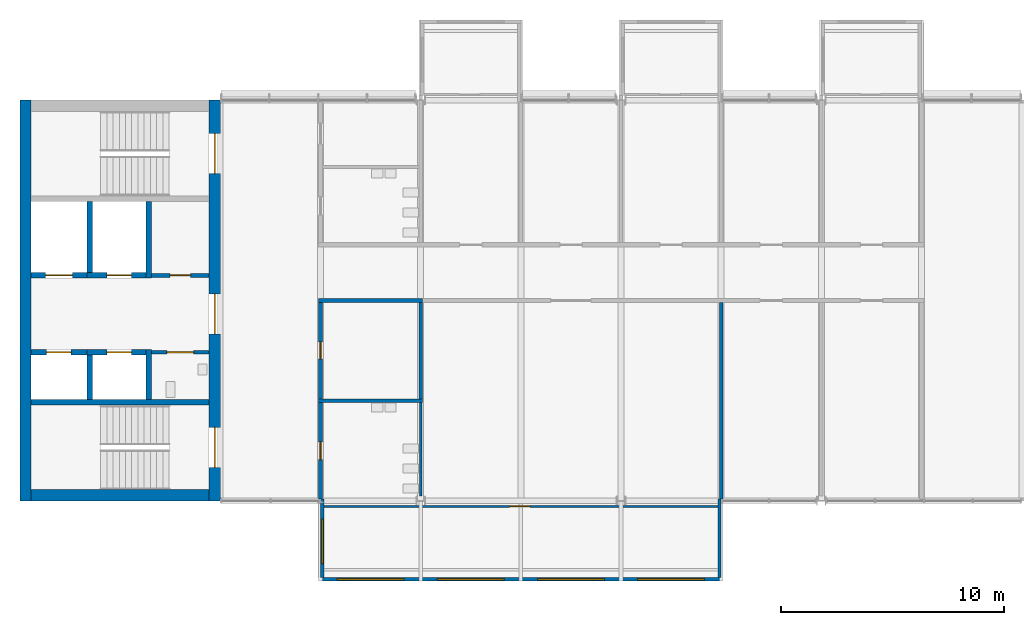
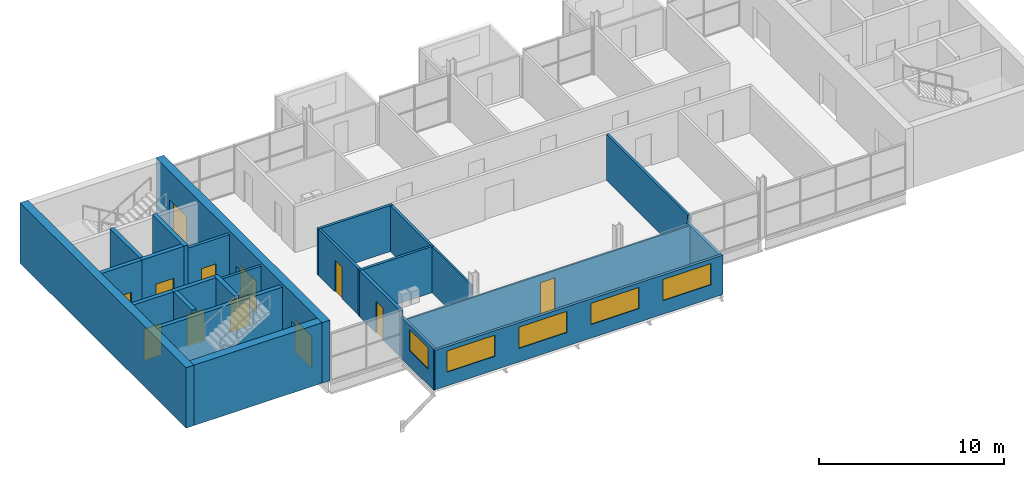
# One storey, part 6 of 12: 25 walls, 12 doors, 5 windows, 17 openings.
"""IFC4 building model written with IfcOpenShell, lengths in metres."""

from ifc_helpers import new_model, si_unit, direction, frame, frame_2d, origin, place, context, subcontext, project, spatial, rectangle, extrude, material, layer, layer_set, type_object, element, fill, save


model = new_model("IFC4")

# Units and contexts
model_context = context("Model", 3, precision=1e-05, world=origin(), true_north=direction((0.0, 1.0)))
body_context = subcontext(model_context, "Body", "Model", "MODEL_VIEW")
ifc_project = project(units=[si_unit("LENGTHUNIT", "METRE"), si_unit("AREAUNIT", "SQUARE_METRE"), si_unit("VOLUMEUNIT", "CUBIC_METRE"), si_unit("PLANEANGLEUNIT", "RADIAN"), si_unit("MASSUNIT", "GRAM", prefix="KILO")], contexts=[model_context])

# Site, building, storey
site_placement = place(None, origin())
site = spatial("IfcSite", under=ifc_project, at=site_placement, CompositionType="ELEMENT")
building_placement = place(site_placement, origin())
building = spatial("IfcBuilding", under=site, at=building_placement, Name="Corbel Yard City Hall", CompositionType="ELEMENT")
storey_placement = place(building_placement, frame((0.0, 0.0, 31.199951171875)))
storey = spatial("IfcBuildingStorey", under=building, at=storey_placement, Name="L07", CompositionType="ELEMENT", Elevation=31.199951171875)

# Walls
ifc_material_1 = material(Name="Concrete N40 (40 MPa)", Category="concrete")
ifc_layer_1 = layer(ifc_material_1, 0.25)
ifc_layer_set_1 = layer_set([ifc_layer_1], Name="Concrete N40 (40 MPa)")
wall_type_1 = type_object("IfcWallType", Name="IW2", PredefinedType="SOLIDWALL", material=ifc_layer_set_1)
wall_1_placement = place(storey_placement, frame((8.5, 103.425048828125, 0.0), z_axis=(0.0, 0.0, 1.0), x_axis=(-1.0, 0.0, 0.0)))
element("IfcWall", 1, at=wall_1_placement, inside=storey, type_object=wall_type_1, Name="Stair enclosure wall", PredefinedType="SOLIDWALL", context=body_context, shape_type="SweptSolid", body=[
    extrude(rectangle(XDim=8.0, YDim=0.25, at=frame_2d((4.0, 0.0))), origin(), (0.0, 0.0, 1.0), 3.75),
])
wall_2_placement = place(storey_placement, frame((5.77490234375, 103.550048828125, 0.0), z_axis=(0.0, 0.0, 1.0), x_axis=(0.0, 1.0, 0.0)))
element("IfcWall", 2, at=wall_2_placement, inside=storey, type_object=wall_type_1, Name="Lift LP22 shaft wall", PredefinedType="SOLIDWALL", context=body_context, shape_type="SweptSolid", body=[
    extrude(rectangle(XDim=2.25, YDim=0.25, at=frame_2d((1.125, 0.0))), origin(), (0.0, 0.0, 1.0), 4.0),
])
wall_3_placement = place(storey_placement, frame((3.125, 103.550048828125, 0.0), z_axis=(0.0, 0.0, 1.0), x_axis=(0.0, 1.0, 0.0)))
element("IfcWall", 3, at=wall_3_placement, inside=storey, type_object=wall_type_1, Name="Lift LP22 shaft wall", PredefinedType="SOLIDWALL", context=body_context, shape_type="SweptSolid", body=[
    extrude(rectangle(XDim=2.0, YDim=0.25, at=frame_2d((1.0, 0.0))), origin(), (0.0, 0.0, 1.0), 4.0),
])

# Wall, opening, door
wall_4_placement = place(storey_placement, frame((5.64990234375, 105.675048828125, 0.0), z_axis=(0.0, 0.0, 1.0), x_axis=(-1.0, 0.0, 0.0)))
wall_4 = element("IfcWall", 4, at=wall_4_placement, inside=storey, type_object=wall_type_1, Name="Lift LP22 shaft wall", PredefinedType="SOLIDWALL", context=body_context, shape_type="SweptSolid", body=[
    extrude(rectangle(XDim=2.64990234375, YDim=0.25, at=frame_2d((1.324951171875, 0.0))), origin(), (0.0, 0.0, 1.0), 4.0),
])
opening_1_placement = place(wall_4_placement, frame((0.64990234375, 0.0, 0.0)))
opening_1 = element("IfcOpeningElement", 5, at=opening_1_placement, cuts=wall_4, Name="Opening T2-005", PredefinedType="OPENING", context=body_context, shape_type="SweptSolid", body=[
    extrude(rectangle(XDim=1.10009765625, YDim=2.10009765625, at=frame_2d((0.550048828125, 1.050048828125))), frame((0.0, 0.135009765625, 0.0), z_axis=(0.0, -1.0, 0.0), x_axis=(1.0, 0.0, 0.0)), (0.0, 0.0, 1.0), 0.27001953125),
])
ifc_material_2 = material(Name="Stainless steel Grade 316", Category="steel")
door_type_1 = type_object("IfcDoorType", Name="LD1", OperationType="DOUBLE_DOOR_SLIDING", PredefinedType="DOOR", material=ifc_material_2)
door_1_placement = place(opening_1_placement, origin())
door_1 = element("IfcDoor", 6, at=door_1_placement, inside=storey, type_object=door_type_1, Name="Lift LP22 landing door", OperationType="DOUBLE_DOOR_SLIDING", OverallHeight=2.10009765625, OverallWidth=1.10009765625, PredefinedType="DOOR", context=body_context, shape_type="SweptSolid", body=[
    extrude(rectangle(XDim=1.10009765625, YDim=2.10009765625, at=frame_2d((0.550048828125, 1.050048828125))), frame((0.0, 0.02490234375, 0.0), z_axis=(0.0, -1.0, 0.0), x_axis=(1.0, 0.0, 0.0)), (0.0, 0.0, 1.0), 0.050048828125),
])
fill(opening_1, door_1)

wall_5_placement = place(storey_placement, frame((3.0, 105.675048828125, 0.0), z_axis=(0.0, 0.0, 1.0), x_axis=(-1.0, 0.0, 0.0)))
wall_5 = element("IfcWall", 7, at=wall_5_placement, inside=storey, type_object=wall_type_1, Name="Lift LP23 shaft wall", PredefinedType="SOLIDWALL", context=body_context, shape_type="SweptSolid", body=[
    extrude(rectangle(XDim=2.5, YDim=0.25, at=frame_2d((1.25, 0.0))), origin(), (0.0, 0.0, 1.0), 4.0),
])
opening_2_placement = place(wall_5_placement, frame((0.699951171875, 0.0, 0.0)))
opening_2 = element("IfcOpeningElement", 8, at=opening_2_placement, cuts=wall_5, Name="Opening T2-006", PredefinedType="OPENING", context=body_context, shape_type="SweptSolid", body=[
    extrude(rectangle(XDim=1.10009765625, YDim=2.10009765625, at=frame_2d((0.550048828125, 1.050048828125))), frame((0.0, 0.135009765625, 0.0), z_axis=(0.0, -1.0, 0.0), x_axis=(1.0, 0.0, 0.0)), (0.0, 0.0, 1.0), 0.27001953125),
])
door_2_placement = place(opening_2_placement, origin())
door_2 = element("IfcDoor", 9, at=door_2_placement, inside=storey, type_object=door_type_1, Name="Lift LP23 landing door", OperationType="DOUBLE_DOOR_SLIDING", OverallHeight=2.10009765625, OverallWidth=1.10009765625, PredefinedType="DOOR", context=body_context, shape_type="SweptSolid", body=[
    extrude(rectangle(XDim=1.10009765625, YDim=2.10009765625, at=frame_2d((0.550048828125, 1.050048828125))), frame((0.0, 0.02490234375, 0.0), z_axis=(0.0, -1.0, 0.0), x_axis=(1.0, 0.0, 0.0)), (0.0, 0.0, 1.0), 0.050048828125),
])
fill(opening_2, door_2)

# Walls
wall_6_placement = place(storey_placement, frame((5.77490234375, 109.0, 0.0), z_axis=(0.0, 0.0, 1.0), x_axis=(0.0, 1.0, 0.0)))
element("IfcWall", 10, at=wall_6_placement, inside=storey, type_object=wall_type_1, Name="Lift LP24 shaft wall", PredefinedType="SOLIDWALL", context=body_context, shape_type="SweptSolid", body=[
    extrude(rectangle(XDim=3.449951171875, YDim=0.25, at=frame_2d((1.72509765625, 0.0))), origin(), (0.0, 0.0, 1.0), 4.0),
])
wall_7_placement = place(storey_placement, frame((3.125, 109.25, 0.0), z_axis=(0.0, 0.0, 1.0), x_axis=(0.0, 1.0, 0.0)))
element("IfcWall", 11, at=wall_7_placement, inside=storey, type_object=wall_type_1, Name="Lift LP24 shaft wall", PredefinedType="SOLIDWALL", context=body_context, shape_type="SweptSolid", body=[
    extrude(rectangle(XDim=3.199951171875, YDim=0.25, at=frame_2d((1.60009765625, 0.0))), origin(), (0.0, 0.0, 1.0), 4.0),
])

# Wall, opening, door
wall_8_placement = place(storey_placement, frame((5.64990234375, 109.125, 0.0), z_axis=(0.0, 0.0, 1.0), x_axis=(-1.0, 0.0, 0.0)))
wall_8 = element("IfcWall", 12, at=wall_8_placement, inside=storey, type_object=wall_type_1, Name="Lift LP24 shaft wall", PredefinedType="SOLIDWALL", context=body_context, shape_type="SweptSolid", body=[
    extrude(rectangle(XDim=2.64990234375, YDim=0.25, at=frame_2d((1.324951171875, 0.0))), origin(), (0.0, 0.0, 1.0), 4.0),
])
opening_3_placement = place(wall_8_placement, frame((0.64990234375, 0.0, 0.0)))
opening_3 = element("IfcOpeningElement", 13, at=opening_3_placement, cuts=wall_8, Name="Opening T2-007", PredefinedType="OPENING", context=body_context, shape_type="SweptSolid", body=[
    extrude(rectangle(XDim=1.10009765625, YDim=2.10009765625, at=frame_2d((0.550048828125, 1.050048828125))), frame((0.0, 0.135009765625, 0.0), z_axis=(0.0, -1.0, 0.0), x_axis=(1.0, 0.0, 0.0)), (0.0, 0.0, 1.0), 0.27001953125),
])
door_3_placement = place(opening_3_placement, origin())
door_3 = element("IfcDoor", 14, at=door_3_placement, inside=storey, type_object=door_type_1, Name="Lift LP24 landing door", OperationType="DOUBLE_DOOR_SLIDING", OverallHeight=2.10009765625, OverallWidth=1.10009765625, PredefinedType="DOOR", context=body_context, shape_type="SweptSolid", body=[
    extrude(rectangle(XDim=1.10009765625, YDim=2.10009765625, at=frame_2d((0.550048828125, 1.050048828125))), frame((0.0, 0.02490234375, 0.0), z_axis=(0.0, -1.0, 0.0), x_axis=(1.0, 0.0, 0.0)), (0.0, 0.0, 1.0), 0.050048828125),
])
fill(opening_3, door_3)

wall_9_placement = place(storey_placement, frame((3.0, 109.125, 0.0), z_axis=(0.0, 0.0, 1.0), x_axis=(-1.0, 0.0, 0.0)))
wall_9 = element("IfcWall", 15, at=wall_9_placement, inside=storey, type_object=wall_type_1, Name="Lift LF1 shaft wall", PredefinedType="SOLIDWALL", context=body_context, shape_type="SweptSolid", body=[
    extrude(rectangle(XDim=2.5, YDim=0.25, at=frame_2d((1.25, 0.0))), origin(), (0.0, 0.0, 1.0), 4.0),
])
opening_4_placement = place(wall_9_placement, frame((0.64990234375, 0.0, 0.0)))
opening_4 = element("IfcOpeningElement", 16, at=opening_4_placement, cuts=wall_9, Name="Opening T2-008", PredefinedType="OPENING", context=body_context, shape_type="SweptSolid", body=[
    extrude(rectangle(XDim=1.199951171875, YDim=2.10009765625, at=frame_2d((0.60009765625, 1.050048828125))), frame((0.0, 0.135009765625, 0.0), z_axis=(0.0, -1.0, 0.0), x_axis=(1.0, 0.0, 0.0)), (0.0, 0.0, 1.0), 0.27001953125),
])
door_type_2 = type_object("IfcDoorType", Name="LD2", OperationType="DOUBLE_DOOR_SLIDING", PredefinedType="DOOR", material=ifc_material_2)
door_4_placement = place(opening_4_placement, origin())
door_4 = element("IfcDoor", 17, at=door_4_placement, inside=storey, type_object=door_type_2, Name="Lift LF1 landing door", OperationType="DOUBLE_DOOR_SLIDING", OverallHeight=2.10009765625, OverallWidth=1.199951171875, PredefinedType="DOOR", context=body_context, shape_type="SweptSolid", body=[
    extrude(rectangle(XDim=1.199951171875, YDim=2.10009765625, at=frame_2d((0.60009765625, 1.050048828125))), frame((0.0, 0.02490234375, 0.0), z_axis=(0.0, -1.0, 0.0), x_axis=(1.0, 0.0, 0.0)), (0.0, 0.0, 1.0), 0.050048828125),
])
fill(opening_4, door_4)

# Wall, openings, windows
ifc_material_3 = material(Name="Anodised aluminium", Category="aluminium")
ifc_layer_2 = layer(ifc_material_3, 0.02392578125)
ifc_material_4 = material(Name="Steel Grade G550 (550 MPa yield)", Category="steel")
ifc_layer_3 = layer(ifc_material_4, 0.10009765625)
ifc_material_5 = material(Name="Gypsum plasterboard", Category="gypsum")
ifc_layer_4 = layer(ifc_material_5, 0.02587890625)
ifc_layer_set_2 = layer_set([ifc_layer_2, ifc_layer_3, ifc_layer_4], Name="Steel Grade G550 (550 MPa yield)")
wall_type_2 = type_object("IfcWallType", Name="PD1", PredefinedType="SOLIDWALL", material=ifc_layer_set_2)
wall_10_placement = place(storey_placement, frame((13.5, 95.47509765625, 0.0), z_axis=(0.0, 0.0, 1.0), x_axis=(1.0, 0.0, 0.0)))
wall_10 = element("IfcWall", 18, at=wall_10_placement, inside=storey, type_object=wall_type_2, Name="Pod outer wall L07", PredefinedType="SOLIDWALL", context=body_context, shape_type="SweptSolid", body=[
    extrude(rectangle(XDim=18.0, YDim=0.14990234375, at=frame_2d((9.0, 0.0))), origin(), (0.0, 0.0, 1.0), 2.60009765625),
])
opening_5_placement = place(wall_10_placement, frame((0.75, 0.0, 0.89990234375)))
opening_5 = element("IfcOpeningElement", 19, at=opening_5_placement, cuts=wall_10, Name="Opening WN5", PredefinedType="OPENING", context=body_context, shape_type="SweptSolid", body=[
    extrude(rectangle(XDim=3.0, YDim=1.39990234375, at=frame_2d((1.5, 0.699951171875))), frame((0.0, 0.0849609375, 0.0), z_axis=(0.0, -1.0, 0.0), x_axis=(1.0, 0.0, 0.0)), (0.0, 0.0, 1.0), 0.169921875),
])
opening_6_placement = place(wall_10_placement, frame((5.25, 0.0, 0.89990234375)))
opening_6 = element("IfcOpeningElement", 20, at=opening_6_placement, cuts=wall_10, Name="Opening WN5", PredefinedType="OPENING", context=body_context, shape_type="SweptSolid", body=[
    extrude(rectangle(XDim=3.0, YDim=1.39990234375, at=frame_2d((1.5, 0.699951171875))), frame((0.0, 0.0849609375, 0.0), z_axis=(0.0, -1.0, 0.0), x_axis=(1.0, 0.0, 0.0)), (0.0, 0.0, 1.0), 0.169921875),
])
opening_7_placement = place(wall_10_placement, frame((9.75, 0.0, 0.89990234375)))
opening_7 = element("IfcOpeningElement", 21, at=opening_7_placement, cuts=wall_10, Name="Opening WN5", PredefinedType="OPENING", context=body_context, shape_type="SweptSolid", body=[
    extrude(rectangle(XDim=3.0, YDim=1.39990234375, at=frame_2d((1.5, 0.699951171875))), frame((0.0, 0.0849609375, 0.0), z_axis=(0.0, -1.0, 0.0), x_axis=(1.0, 0.0, 0.0)), (0.0, 0.0, 1.0), 0.169921875),
])
opening_8_placement = place(wall_10_placement, frame((14.25, 0.0, 0.89990234375)))
opening_8 = element("IfcOpeningElement", 22, at=opening_8_placement, cuts=wall_10, Name="Opening WN5", PredefinedType="OPENING", context=body_context, shape_type="SweptSolid", body=[
    extrude(rectangle(XDim=3.0, YDim=1.39990234375, at=frame_2d((1.5, 0.699951171875))), frame((0.0, 0.0849609375, 0.0), z_axis=(0.0, -1.0, 0.0), x_axis=(1.0, 0.0, 0.0)), (0.0, 0.0, 1.0), 0.169921875),
])
ifc_material_6 = material(Name="Aluminium frame, double glazed low-e glass", Category="aluminium")
window_type_1 = type_object("IfcWindowType", Name="WN5", PartitioningType="SINGLE_PANEL", PredefinedType="WINDOW", material=ifc_material_6)
window_1_placement = place(opening_5_placement, origin())
window_1 = element("IfcWindow", 23, at=window_1_placement, inside=storey, type_object=window_type_1, Name="Window WN5 L07", OverallHeight=1.39990234375, OverallWidth=3.0, PartitioningType="SINGLE_PANEL", PredefinedType="WINDOW", context=body_context, shape_type="SweptSolid", body=[
    extrude(rectangle(XDim=3.0, YDim=1.39990234375, at=frame_2d((1.5, 0.699951171875))), frame((0.0, 0.030029296875, 0.0), z_axis=(0.0, -1.0, 0.0), x_axis=(1.0, 0.0, 0.0)), (0.0, 0.0, 1.0), 0.06005859375),
])
fill(opening_5, window_1)
window_2_placement = place(opening_6_placement, origin())
window_2 = element("IfcWindow", 24, at=window_2_placement, inside=storey, type_object=window_type_1, Name="Window WN5 L07", OverallHeight=1.39990234375, OverallWidth=3.0, PartitioningType="SINGLE_PANEL", PredefinedType="WINDOW", context=body_context, shape_type="SweptSolid", body=[
    extrude(rectangle(XDim=3.0, YDim=1.39990234375, at=frame_2d((1.5, 0.699951171875))), frame((0.0, 0.030029296875, 0.0), z_axis=(0.0, -1.0, 0.0), x_axis=(1.0, 0.0, 0.0)), (0.0, 0.0, 1.0), 0.06005859375),
])
fill(opening_6, window_2)
window_3_placement = place(opening_7_placement, origin())
window_3 = element("IfcWindow", 25, at=window_3_placement, inside=storey, type_object=window_type_1, Name="Window WN5 L07", OverallHeight=1.39990234375, OverallWidth=3.0, PartitioningType="SINGLE_PANEL", PredefinedType="WINDOW", context=body_context, shape_type="SweptSolid", body=[
    extrude(rectangle(XDim=3.0, YDim=1.39990234375, at=frame_2d((1.5, 0.699951171875))), frame((0.0, 0.030029296875, 0.0), z_axis=(0.0, -1.0, 0.0), x_axis=(1.0, 0.0, 0.0)), (0.0, 0.0, 1.0), 0.06005859375),
])
fill(opening_7, window_3)
window_4_placement = place(opening_8_placement, origin())
window_4 = element("IfcWindow", 26, at=window_4_placement, inside=storey, type_object=window_type_1, Name="Window WN5 L07", OverallHeight=1.39990234375, OverallWidth=3.0, PartitioningType="SINGLE_PANEL", PredefinedType="WINDOW", context=body_context, shape_type="SweptSolid", body=[
    extrude(rectangle(XDim=3.0, YDim=1.39990234375, at=frame_2d((1.5, 0.699951171875))), frame((0.0, 0.030029296875, 0.0), z_axis=(0.0, -1.0, 0.0), x_axis=(1.0, 0.0, 0.0)), (0.0, 0.0, 1.0), 0.06005859375),
])
fill(opening_8, window_4)

# Wall, opening, door
ifc_layer_5 = layer(ifc_material_5, 0.01806640625)
ifc_layer_6 = layer(ifc_material_4, 0.06396484375)
ifc_layer_7 = layer(ifc_material_5, 0.01806640625)
ifc_layer_set_3 = layer_set([ifc_layer_5, ifc_layer_6, ifc_layer_7], Name="Steel Grade G550 (550 MPa yield)")
wall_type_3 = type_object("IfcWallType", Name="PD2", PredefinedType="PARTITIONING", material=ifc_layer_set_3)
wall_11_placement = place(storey_placement, frame((13.64990234375, 98.75, 0.0), z_axis=(0.0, 0.0, 1.0), x_axis=(1.0, 0.0, 0.0)))
wall_11 = element("IfcWall", 27, at=wall_11_placement, inside=storey, type_object=wall_type_3, Name="Pod inner wall L07", PredefinedType="PARTITIONING", context=body_context, shape_type="SweptSolid", body=[
    extrude(rectangle(XDim=17.7001953125, YDim=0.10009765625, at=frame_2d((8.85009765625, 0.0))), origin(), (0.0, 0.0, 1.0), 2.60009765625),
])
opening_9_placement = place(wall_11_placement, frame((8.35009765625, 0.0, 0.0)))
opening_9 = element("IfcOpeningElement", 28, at=opening_9_placement, cuts=wall_11, Name="Opening T2-001", PredefinedType="OPENING", context=body_context, shape_type="SweptSolid", body=[
    extrude(rectangle(XDim=0.89990234375, YDim=2.10009765625, at=frame_2d((0.449951171875, 1.050048828125))), frame((0.0, 0.06005859375, 0.0), z_axis=(0.0, -1.0, 0.0), x_axis=(1.0, 0.0, 0.0)), (0.0, 0.0, 1.0), 0.1201171875),
])
ifc_material_7 = material(Name="Timber, solid core", Category="wood")
door_type_3 = type_object("IfcDoorType", Name="XD6", OperationType="SINGLE_SWING_LEFT", PredefinedType="DOOR", material=ifc_material_7)
door_5_placement = place(opening_9_placement, frame((0.89990234375, 0.0, 0.0), z_axis=(0.0, 0.0, 1.0), x_axis=(-1.0, 0.0, 0.0)))
door_5 = element("IfcDoor", 29, at=door_5_placement, inside=storey, type_object=door_type_3, Name="Pod door L07", OperationType="SINGLE_SWING_RIGHT", OverallHeight=2.10009765625, OverallWidth=0.89990234375, PredefinedType="DOOR", context=body_context, shape_type="SweptSolid", body=[
    extrude(rectangle(XDim=0.89990234375, YDim=2.10009765625, at=frame_2d((0.449951171875, 1.050048828125))), frame((0.0, 0.02490234375, 0.0), z_axis=(0.0, -1.0, 0.0), x_axis=(1.0, 0.0, 0.0)), (0.0, 0.0, 1.0), 0.050048828125),
])
fill(opening_9, door_5)

# Wall, opening, window
ifc_layer_8 = layer(ifc_material_3, 0.02392578125)
ifc_layer_9 = layer(ifc_material_4, 0.10009765625)
ifc_layer_10 = layer(ifc_material_5, 0.02587890625)
ifc_layer_set_4 = layer_set([ifc_layer_8, ifc_layer_9, ifc_layer_10], Name="Steel Grade G550 (550 MPa yield)")
wall_type_4 = type_object("IfcWallType", Name="PD3", PredefinedType="SOLIDWALL", material=ifc_layer_set_4)
wall_12_placement = place(storey_placement, frame((13.574951171875, 95.550048828125, -0.14990234375), z_axis=(0.0, 0.0, 1.0), x_axis=(0.0, 1.0, 0.0)))
wall_12 = element("IfcWall", 30, at=wall_12_placement, inside=storey, type_object=wall_type_4, Name="Pod side wall L07", PredefinedType="SOLIDWALL", context=body_context, shape_type="SweptSolid", body=[
    extrude(rectangle(XDim=3.52490234375, YDim=0.14990234375, at=frame_2d((1.762451171875, 0.0))), origin(), (0.0, 0.0, 1.0), 2.75),
])
opening_10_placement = place(wall_12_placement, frame((0.625, 0.0, 1.050048828125)))
opening_10 = element("IfcOpeningElement", 31, at=opening_10_placement, cuts=wall_12, Name="Opening WN6", PredefinedType="OPENING", context=body_context, shape_type="SweptSolid", body=[
    extrude(rectangle(XDim=2.0, YDim=1.39990234375, at=frame_2d((1.0, 0.699951171875))), frame((0.0, 0.0849609375, 0.0), z_axis=(0.0, -1.0, 0.0), x_axis=(1.0, 0.0, 0.0)), (0.0, 0.0, 1.0), 0.169921875),
])
window_type_2 = type_object("IfcWindowType", Name="WN6", PartitioningType="SINGLE_PANEL", PredefinedType="WINDOW", material=ifc_material_6)
window_5_placement = place(opening_10_placement, origin())
window_5 = element("IfcWindow", 32, at=window_5_placement, inside=storey, type_object=window_type_2, Name="Window WN6 L07", OverallHeight=1.39990234375, OverallWidth=2.0, PartitioningType="SINGLE_PANEL", PredefinedType="WINDOW", context=body_context, shape_type="SweptSolid", body=[
    extrude(rectangle(XDim=2.0, YDim=1.39990234375, at=frame_2d((1.0, 0.699951171875))), frame((0.0, 0.030029296875, 0.0), z_axis=(0.0, -1.0, 0.0), x_axis=(1.0, 0.0, 0.0)), (0.0, 0.0, 1.0), 0.06005859375),
])
fill(opening_10, window_5)

# Walls
wall_13_placement = place(storey_placement, frame((31.425048828125, 95.550048828125, -0.14990234375), z_axis=(0.0, 0.0, 1.0), x_axis=(0.0, 1.0, 0.0)))
element("IfcWall", 33, at=wall_13_placement, inside=storey, type_object=wall_type_4, Name="Pod side wall L07", PredefinedType="SOLIDWALL", context=body_context, shape_type="SweptSolid", body=[
    extrude(rectangle(XDim=3.52490234375, YDim=0.14990234375, at=frame_2d((1.762451171875, 0.0))), origin(), (0.0, 0.0, 1.0), 2.75),
])
ifc_layer_11 = layer(ifc_material_5, 0.028076171875)
ifc_layer_12 = layer(ifc_material_4, 0.06396484375)
ifc_layer_13 = layer(ifc_material_5, 0.028076171875)
ifc_layer_set_5 = layer_set([ifc_layer_11, ifc_layer_12, ifc_layer_13], Name="Steel Grade G550 (550 MPa yield)")
wall_type_5 = type_object("IfcWallType", Name="PT1", PredefinedType="PARTITIONING", material=ifc_layer_set_5)
wall_14_placement = place(storey_placement, frame((18.0, 99.20703125, 0.0), z_axis=(0.0, 0.0, 1.0), x_axis=(0.0, 1.0, 0.0)))
element("IfcWall", 34, at=wall_14_placement, inside=storey, type_object=wall_type_5, Name="Partition", PredefinedType="PARTITIONING", context=body_context, shape_type="SweptSolid", body=[
    extrude(rectangle(XDim=4.212890625, YDim=0.1201171875, at=frame_2d((2.1064453125, 0.0))), origin(), (0.0, 0.0, 1.0), 3.050048828125),
])

# Wall, opening, door
ifc_layer_14 = layer(ifc_material_5, 0.031982421875)
ifc_layer_15 = layer(ifc_material_4, 0.135986328125)
ifc_layer_16 = layer(ifc_material_5, 0.031982421875)
ifc_layer_set_6 = layer_set([ifc_layer_14, ifc_layer_15, ifc_layer_16], Name="Steel Grade G550 (550 MPa yield)")
wall_type_6 = type_object("IfcWallType", Name="PT2", PredefinedType="PARTITIONING", material=ifc_layer_set_6)
wall_15_placement = place(storey_placement, frame((13.5, 99.074951171875, 0.0), z_axis=(0.0, 0.0, 1.0), x_axis=(0.0, 1.0, 0.0)))
wall_15 = element("IfcWall", 35, at=wall_15_placement, inside=storey, type_object=wall_type_6, Name="Acoustic wall", PredefinedType="PARTITIONING", context=body_context, shape_type="SweptSolid", body=[
    extrude(rectangle(XDim=4.344970703125, YDim=0.199951171875, at=frame_2d((2.17236328125, 0.0))), origin(), (0.0, 0.0, 1.0), 3.050048828125),
])
opening_11_placement = place(wall_15_placement, frame((1.77490234375, 0.0, 0.0)))
opening_11 = element("IfcOpeningElement", 36, at=opening_11_placement, cuts=wall_15, Name="Opening T2-013", PredefinedType="OPENING", context=body_context, shape_type="SweptSolid", body=[
    extrude(rectangle(XDim=0.800048828125, YDim=2.10009765625, at=frame_2d((0.39990234375, 1.050048828125))), frame((0.0, 0.10986328125, 0.0), z_axis=(0.0, -1.0, 0.0), x_axis=(1.0, 0.0, 0.0)), (0.0, 0.0, 1.0), 0.219970703125),
])
ifc_material_8 = material(Name="Timber", Category="wood")
door_type_4 = type_object("IfcDoorType", Name="D44", OperationType="SINGLE_SWING_LEFT", PredefinedType="DOOR", material=ifc_material_8)
door_6_placement = place(opening_11_placement, frame((0.800048828125, 0.0, 0.0), z_axis=(0.0, 0.0, 1.0), x_axis=(-1.0, 0.0, 0.0)))
door_6 = element("IfcDoor", 37, at=door_6_placement, inside=storey, type_object=door_type_4, Name="Door Women's WC 0704", OperationType="SINGLE_SWING_LEFT", OverallHeight=2.10009765625, OverallWidth=0.800048828125, PredefinedType="DOOR", context=body_context, shape_type="SweptSolid", body=[
    extrude(rectangle(XDim=0.800048828125, YDim=2.10009765625, at=frame_2d((0.39990234375, 1.050048828125))), frame((0.0, 0.02490234375, 0.0), z_axis=(0.0, -1.0, 0.0), x_axis=(1.0, 0.0, 0.0)), (0.0, 0.0, 1.0), 0.050048828125),
])
fill(opening_11, door_6)

ifc_layer_17 = layer(ifc_material_5, 0.031982421875)
ifc_layer_18 = layer(ifc_material_4, 0.095947265625)
ifc_layer_19 = layer(ifc_material_5, 0.031982421875)
ifc_layer_set_7 = layer_set([ifc_layer_17, ifc_layer_18, ifc_layer_19], Name="Steel Grade G550 (550 MPa yield)")
wall_type_7 = type_object("IfcWallType", Name="PT3", PredefinedType="PARTITIONING", material=ifc_layer_set_7)
wall_16_placement = place(storey_placement, frame((8.5, 105.675048828125, 0.0), z_axis=(0.0, 0.0, 1.0), x_axis=(-1.0, 0.0, 0.0)))
wall_16 = element("IfcWall", 38, at=wall_16_placement, inside=storey, type_object=wall_type_7, Name="Accessible WC wall", PredefinedType="PARTITIONING", context=body_context, shape_type="SweptSolid", body=[
    extrude(rectangle(XDim=2.60009765625, YDim=0.159912109375, at=frame_2d((1.300048828125, 0.0))), origin(), (0.0, 0.0, 1.0), 3.75),
])
opening_12_placement = place(wall_16_placement, frame((0.699951171875, 0.0, 0.0)))
opening_12 = element("IfcOpeningElement", 39, at=opening_12_placement, cuts=wall_16, Name="Opening T2-028", PredefinedType="OPENING", context=body_context, shape_type="SweptSolid", body=[
    extrude(rectangle(XDim=1.199951171875, YDim=2.10009765625, at=frame_2d((0.60009765625, 1.050048828125))), frame((0.0, 0.08984375, 0.0), z_axis=(0.0, -1.0, 0.0), x_axis=(1.0, 0.0, 0.0)), (0.0, 0.0, 1.0), 0.179931640625),
])
ifc_material_9 = material(Name="Steel Grade G250", Category="steel")
door_type_5 = type_object("IfcDoorType", Name="FD7", OperationType="SINGLE_SWING_LEFT", PredefinedType="DOOR", material=ifc_material_9)
door_7_placement = place(opening_12_placement, origin())
door_7 = element("IfcDoor", 40, at=door_7_placement, inside=storey, type_object=door_type_5, Name="Door accessible WC West", OperationType="SINGLE_SWING_LEFT", OverallHeight=2.10009765625, OverallWidth=1.199951171875, PredefinedType="DOOR", context=body_context, shape_type="SweptSolid", body=[
    extrude(rectangle(XDim=1.199951171875, YDim=2.10009765625, at=frame_2d((0.60009765625, 1.050048828125))), frame((0.0, 0.02490234375, 0.0), z_axis=(0.0, -1.0, 0.0), x_axis=(1.0, 0.0, 0.0)), (0.0, 0.0, 1.0), 0.050048828125),
])
fill(opening_12, door_7)

# Walls
wall_17_placement = place(storey_placement, frame((13.39990234375, 103.5, 0.0), z_axis=(0.0, 0.0, 1.0), x_axis=(1.0, 0.0, 0.0)))
element("IfcWall", 41, at=wall_17_placement, inside=storey, type_object=wall_type_7, Name="Fire-resisting wall", PredefinedType="PARTITIONING", context=body_context, shape_type="SweptSolid", body=[
    extrude(rectangle(XDim=4.68017578125, YDim=0.159912109375, at=frame_2d((2.340087890625, 0.0))), origin(), (0.0, 0.0, 1.0), 3.050048828125),
])
wall_18_placement = place(storey_placement, frame((13.419921875, 108.0, 0.0), z_axis=(0.0, 0.0, 1.0), x_axis=(1.0, 0.0, 0.0)))
element("IfcWall", 42, at=wall_18_placement, inside=storey, type_object=wall_type_7, Name="Fire-resisting wall", PredefinedType="PARTITIONING", context=body_context, shape_type="SweptSolid", body=[
    extrude(rectangle(XDim=4.66015625, YDim=0.159912109375, at=frame_2d((2.330078125, 0.0))), origin(), (0.0, 0.0, 1.0), 3.050048828125),
])

# Wall, opening, door
wall_19_placement = place(storey_placement, frame((13.5, 103.580078125, 0.0), z_axis=(0.0, 0.0, 1.0), x_axis=(0.0, 1.0, 0.0)))
wall_19 = element("IfcWall", 43, at=wall_19_placement, inside=storey, type_object=wall_type_7, Name="Fire-resisting wall", PredefinedType="PARTITIONING", context=body_context, shape_type="SweptSolid", body=[
    extrude(rectangle(XDim=4.33984375, YDim=0.159912109375, at=frame_2d((2.169921875, 0.0))), origin(), (0.0, 0.0, 1.0), 3.050048828125),
])
opening_13_placement = place(wall_19_placement, frame((1.794921875, 0.0, 0.0)))
opening_13 = element("IfcOpeningElement", 44, at=opening_13_placement, cuts=wall_19, Name="Opening T2-014", PredefinedType="OPENING", context=body_context, shape_type="SweptSolid", body=[
    extrude(rectangle(XDim=0.75, YDim=2.10009765625, at=frame_2d((0.375, 1.050048828125))), frame((0.0, 0.08984375, 0.0), z_axis=(0.0, -1.0, 0.0), x_axis=(1.0, 0.0, 0.0)), (0.0, 0.0, 1.0), 0.179931640625),
])
door_type_6 = type_object("IfcDoorType", Name="FD42", OperationType="SINGLE_SWING_LEFT", PredefinedType="DOOR", material=ifc_material_9)
door_8_placement = place(opening_13_placement, frame((0.75, 0.0, 0.0), z_axis=(0.0, 0.0, 1.0), x_axis=(-1.0, 0.0, 0.0)))
door_8 = element("IfcDoor", 45, at=door_8_placement, inside=storey, type_object=door_type_6, Name="Door Cleaners' Room 0705", OperationType="SINGLE_SWING_RIGHT", OverallHeight=2.10009765625, OverallWidth=0.75, PredefinedType="DOOR", context=body_context, shape_type="SweptSolid", body=[
    extrude(rectangle(XDim=0.75, YDim=2.10009765625, at=frame_2d((0.375, 1.050048828125))), frame((0.0, 0.02490234375, 0.0), z_axis=(0.0, -1.0, 0.0), x_axis=(1.0, 0.0, 0.0)), (0.0, 0.0, 1.0), 0.050048828125),
])
fill(opening_13, door_8)

# Wall
wall_20_placement = place(storey_placement, frame((18.0, 103.580078125, 0.0), z_axis=(0.0, 0.0, 1.0), x_axis=(0.0, 1.0, 0.0)))
element("IfcWall", 46, at=wall_20_placement, inside=storey, type_object=wall_type_7, Name="Fire-resisting wall", PredefinedType="PARTITIONING", context=body_context, shape_type="SweptSolid", body=[
    extrude(rectangle(XDim=4.31982421875, YDim=0.159912109375, at=frame_2d((2.159912109375, 0.0))), origin(), (0.0, 0.0, 1.0), 3.050048828125),
])

# Wall, opening, door
ifc_material_10 = material(Name="Concrete block", Category="concrete")
ifc_layer_20 = layer(ifc_material_10, 0.18994140625)
ifc_layer_set_8 = layer_set([ifc_layer_20], Name="Concrete block")
wall_type_8 = type_object("IfcWallType", Name="PT4", PredefinedType="PARTITIONING", material=ifc_layer_set_8)
wall_21_placement = place(storey_placement, frame((8.5, 109.125, 0.0), z_axis=(0.0, 0.0, 1.0), x_axis=(-1.0, 0.0, 0.0)))
wall_21 = element("IfcWall", 47, at=wall_21_placement, inside=storey, type_object=wall_type_8, Name="Riser wall", PredefinedType="PARTITIONING", context=body_context, shape_type="SweptSolid", body=[
    extrude(rectangle(XDim=2.60009765625, YDim=0.18994140625, at=frame_2d((1.300048828125, 0.0))), origin(), (0.0, 0.0, 1.0), 3.75),
])
opening_14_placement = place(wall_21_placement, frame((0.840087890625, 0.0, 0.0)))
opening_14 = element("IfcOpeningElement", 48, at=opening_14_placement, cuts=wall_21, Name="Opening T2-029", PredefinedType="OPENING", context=body_context, shape_type="SweptSolid", body=[
    extrude(rectangle(XDim=0.919921875, YDim=2.10009765625, at=frame_2d((0.4599609375, 1.050048828125))), frame((0.0, 0.10498046875, 0.0), z_axis=(0.0, -1.0, 0.0), x_axis=(1.0, 0.0, 0.0)), (0.0, 0.0, 1.0), 0.2099609375),
])
door_type_7 = type_object("IfcDoorType", Name="FS4", OperationType="SINGLE_SWING_LEFT", PredefinedType="DOOR", material=ifc_material_9)
door_9_placement = place(opening_14_placement, frame((0.919921875, 0.0, 0.0), z_axis=(0.0, 0.0, 1.0), x_axis=(-1.0, 0.0, 0.0)))
door_9 = element("IfcDoor", 49, at=door_9_placement, inside=storey, type_object=door_type_7, Name="Door riser West", OperationType="SINGLE_SWING_RIGHT", OverallHeight=2.10009765625, OverallWidth=0.919921875, PredefinedType="DOOR", context=body_context, shape_type="SweptSolid", body=[
    extrude(rectangle(XDim=0.919921875, YDim=2.10009765625, at=frame_2d((0.4599609375, 1.050048828125))), frame((0.0, 0.02490234375, 0.0), z_axis=(0.0, -1.0, 0.0), x_axis=(1.0, 0.0, 0.0)), (0.0, 0.0, 1.0), 0.050048828125),
])
fill(opening_14, door_9)

# Walls
ifc_layer_21 = layer(ifc_material_5, 0.031982421875)
ifc_layer_22 = layer(ifc_material_4, 0.0859375)
ifc_layer_23 = layer(ifc_material_5, 0.031982421875)
ifc_layer_set_9 = layer_set([ifc_layer_21, ifc_layer_22, ifc_layer_23], Name="Steel Grade G550 (550 MPa yield)")
wall_type_9 = type_object("IfcWallType", Name="PT7", PredefinedType="PARTITIONING", material=ifc_layer_set_9)
wall_22_placement = place(storey_placement, frame((31.5, 99.074951171875, 0.0), z_axis=(0.0, 0.0, 1.0), x_axis=(0.0, 1.0, 0.0)))
element("IfcWall", 50, at=wall_22_placement, inside=storey, type_object=wall_type_9, Name="Suite partition", PredefinedType="PARTITIONING", context=body_context, shape_type="SweptSolid", body=[
    extrude(rectangle(XDim=8.824951171875, YDim=0.14990234375, at=frame_2d((4.41259765625, 0.0))), origin(), (0.0, 0.0, 1.0), 3.050048828125),
])
ifc_material_11 = material(Name="Concrete N50 (50 MPa)", Category="concrete")
ifc_layer_24 = layer(ifc_material_11, 0.5)
ifc_layer_set_10 = layer_set([ifc_layer_24], Name="Concrete N50 (50 MPa)")
wall_type_10 = type_object("IfcWallType", Name="Trunk wall 500", PredefinedType="SHEAR", material=ifc_layer_set_10)
wall_23_placement = place(storey_placement, frame((0.25, 99.0, 0.0), z_axis=(0.0, 0.0, 1.0), x_axis=(0.0, 1.0, 0.0)))
element("IfcWall", 51, at=wall_23_placement, inside=storey, type_object=wall_type_10, Name="Trunk W west wall", PredefinedType="SHEAR", context=body_context, shape_type="SweptSolid", body=[
    extrude(rectangle(XDim=18.0, YDim=0.5, at=frame_2d((9.0, 0.0))), origin(), (0.0, 0.0, 1.0), 4.0),
])

# Wall, openings, doors
wall_24_placement = place(storey_placement, frame((8.75, 99.0, 0.0), z_axis=(0.0, 0.0, 1.0), x_axis=(0.0, 1.0, 0.0)))
wall_24 = element("IfcWall", 52, at=wall_24_placement, inside=storey, type_object=wall_type_10, Name="Trunk W east wall", PredefinedType="SHEAR", context=body_context, shape_type="SweptSolid", body=[
    extrude(rectangle(XDim=18.0, YDim=0.5, at=frame_2d((9.0, 0.0))), origin(), (0.0, 0.0, 1.0), 4.0),
])
opening_15_placement = place(wall_24_placement, frame((1.5, 0.0, 0.0)))
opening_15 = element("IfcOpeningElement", 53, at=opening_15_placement, cuts=wall_24, Name="Opening T2-025", PredefinedType="OPENING", context=body_context, shape_type="SweptSolid", body=[
    extrude(rectangle(XDim=1.800048828125, YDim=2.10009765625, at=frame_2d((0.89990234375, 1.050048828125))), frame((0.0, 0.260009765625, 0.0), z_axis=(0.0, -1.0, 0.0), x_axis=(1.0, 0.0, 0.0)), (0.0, 0.0, 1.0), 0.52001953125),
])
opening_16_placement = place(wall_24_placement, frame((14.699951171875, 0.0, 0.0)))
opening_16 = element("IfcOpeningElement", 54, at=opening_16_placement, cuts=wall_24, Name="Opening T2-026", PredefinedType="OPENING", context=body_context, shape_type="SweptSolid", body=[
    extrude(rectangle(XDim=1.800048828125, YDim=2.10009765625, at=frame_2d((0.89990234375, 1.050048828125))), frame((0.0, 0.260009765625, 0.0), z_axis=(0.0, -1.0, 0.0), x_axis=(1.0, 0.0, 0.0)), (0.0, 0.0, 1.0), 0.52001953125),
])
opening_17_placement = place(wall_24_placement, frame((7.5, 0.0, 0.0)))
opening_17 = element("IfcOpeningElement", 55, at=opening_17_placement, cuts=wall_24, Name="Opening T2-027", PredefinedType="OPENING", context=body_context, shape_type="SweptSolid", body=[
    extrude(rectangle(XDim=1.800048828125, YDim=2.10009765625, at=frame_2d((0.89990234375, 1.050048828125))), frame((0.0, 0.260009765625, 0.0), z_axis=(0.0, -1.0, 0.0), x_axis=(1.0, 0.0, 0.0)), (0.0, 0.0, 1.0), 0.52001953125),
])
door_type_8 = type_object("IfcDoorType", Name="FS3", OperationType="DOUBLE_DOOR_SINGLE_SWING", PredefinedType="DOOR", material=ifc_material_9)
door_10_placement = place(opening_15_placement, origin())
door_10 = element("IfcDoor", 56, at=door_10_placement, inside=storey, type_object=door_type_8, Name="Door ST-W1", OperationType="DOUBLE_DOOR_SINGLE_SWING", OverallHeight=2.10009765625, OverallWidth=1.800048828125, PredefinedType="DOOR", context=body_context, shape_type="SweptSolid", body=[
    extrude(rectangle(XDim=1.800048828125, YDim=2.10009765625, at=frame_2d((0.89990234375, 1.050048828125))), frame((0.0, 0.02490234375, 0.0), z_axis=(0.0, -1.0, 0.0), x_axis=(1.0, 0.0, 0.0)), (0.0, 0.0, 1.0), 0.050048828125),
])
fill(opening_15, door_10)
door_11_placement = place(opening_16_placement, origin())
door_11 = element("IfcDoor", 57, at=door_11_placement, inside=storey, type_object=door_type_8, Name="Door ST-W2", OperationType="DOUBLE_DOOR_SINGLE_SWING", OverallHeight=2.10009765625, OverallWidth=1.800048828125, PredefinedType="DOOR", context=body_context, shape_type="SweptSolid", body=[
    extrude(rectangle(XDim=1.800048828125, YDim=2.10009765625, at=frame_2d((0.89990234375, 1.050048828125))), frame((0.0, 0.02490234375, 0.0), z_axis=(0.0, -1.0, 0.0), x_axis=(1.0, 0.0, 0.0)), (0.0, 0.0, 1.0), 0.050048828125),
])
fill(opening_16, door_11)
door_12_placement = place(opening_17_placement, origin())
door_12 = element("IfcDoor", 58, at=door_12_placement, inside=storey, type_object=door_type_8, Name="Door lift lobby West", OperationType="DOUBLE_DOOR_SINGLE_SWING", OverallHeight=2.10009765625, OverallWidth=1.800048828125, PredefinedType="DOOR", context=body_context, shape_type="SweptSolid", body=[
    extrude(rectangle(XDim=1.800048828125, YDim=2.10009765625, at=frame_2d((0.89990234375, 1.050048828125))), frame((0.0, 0.02490234375, 0.0), z_axis=(0.0, -1.0, 0.0), x_axis=(1.0, 0.0, 0.0)), (0.0, 0.0, 1.0), 0.050048828125),
])
fill(opening_17, door_12)

# Wall
wall_25_placement = place(storey_placement, frame((0.5, 99.25, 0.0), z_axis=(0.0, 0.0, 1.0), x_axis=(1.0, 0.0, 0.0)))
element("IfcWall", 59, at=wall_25_placement, inside=storey, type_object=wall_type_10, Name="Trunk W south wall", PredefinedType="SHEAR", context=body_context, shape_type="SweptSolid", body=[
    extrude(rectangle(XDim=8.0, YDim=0.5, at=frame_2d((4.0, 0.0))), origin(), (0.0, 0.0, 1.0), 4.0),
])

save(model, "model.ifc")
